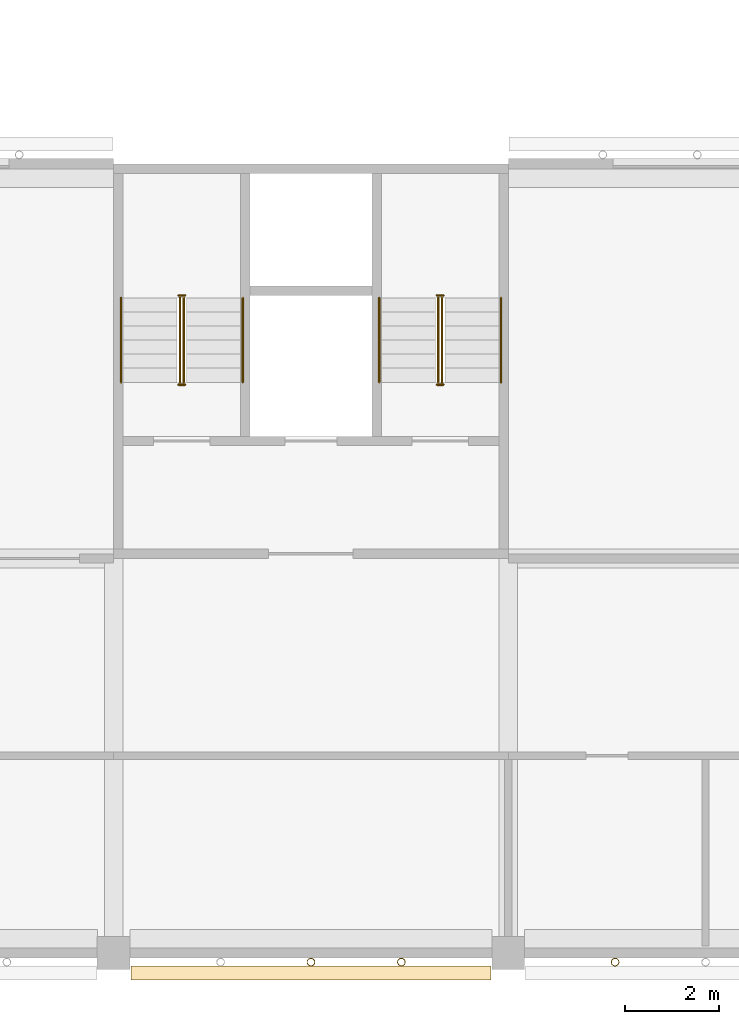
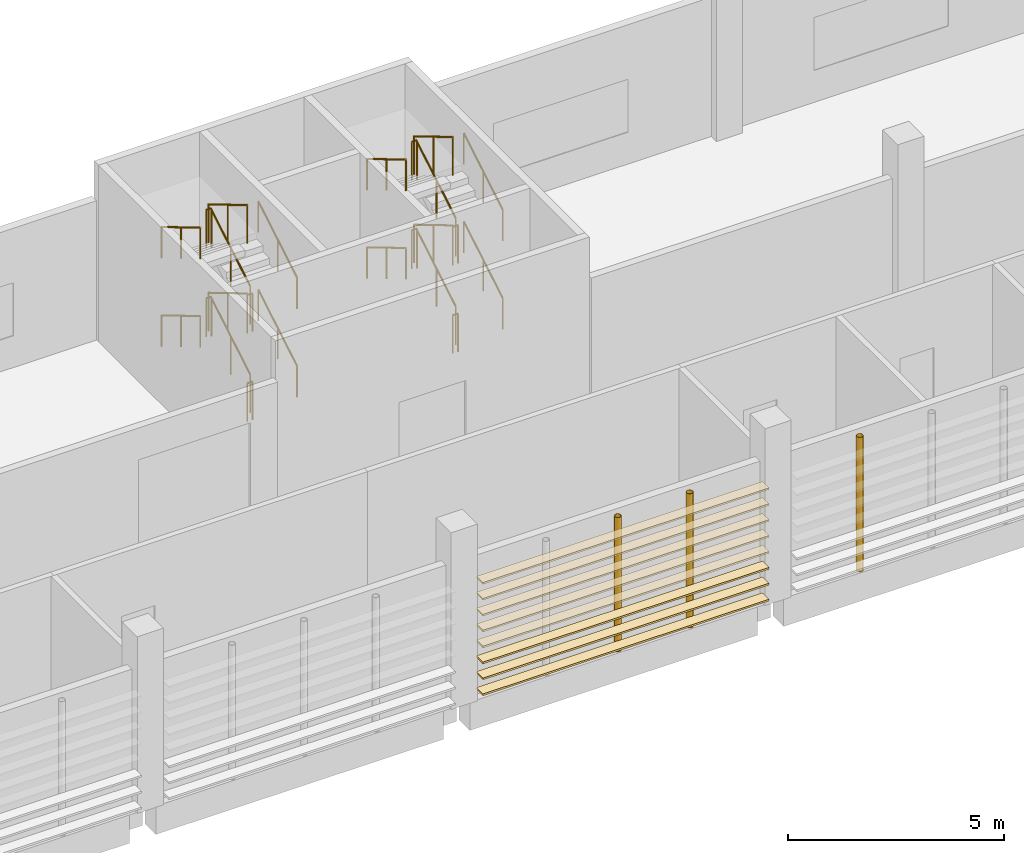
# One storey, part 50 of 82: 24 railings, 8 coverings, 3 shading devices.
"""IFC4 building model written with IfcOpenShell, lengths in metres."""

from ifc_helpers import new_model, si_unit, direction, frame, origin, origin_2d, place, context, subcontext, project, spatial, rectangle, circle, hollow_circle, extrude, material, material_profile, profile_set, type_object, element, save


model = new_model("IFC4")

# Units and contexts
model_context = context("Model", 3, precision=1e-05, world=origin(), true_north=direction((0.0, 1.0)))
body_context = subcontext(model_context, "Body", "Model", "MODEL_VIEW")
ifc_project = project(units=[si_unit("LENGTHUNIT", "METRE"), si_unit("AREAUNIT", "SQUARE_METRE"), si_unit("VOLUMEUNIT", "CUBIC_METRE"), si_unit("PLANEANGLEUNIT", "RADIAN"), si_unit("MASSUNIT", "GRAM", prefix="KILO")], contexts=[model_context])

# Site, building, storey
site_placement = place(None, origin())
site = spatial("IfcSite", under=ifc_project, at=site_placement, CompositionType="ELEMENT")
building_placement = place(site_placement, origin())
building = spatial("IfcBuilding", under=site, at=building_placement, Name="Almond Square Museum", CompositionType="ELEMENT")
storey_placement = place(building_placement, frame((0.0, 0.0, 20.0)))
storey = spatial("IfcBuildingStorey", under=building, at=storey_placement, Name="L03", CompositionType="ELEMENT", Elevation=20.0)

# Shading devices
ifc_material_1 = material(Name="Structural steel S355", Category="steel")
ifc_material_profile_1 = material_profile(ifc_material_1, hollow_circle(Radius=0.084228515625, WallThickness=0.008056640625, at=origin_2d()))
ifc_profile_set_1 = profile_set([ifc_material_profile_1], Name="Structural steel S355")
shading_device_type = type_object("IfcShadingDeviceType", Name="Louvre post CHS 168.3 x 8", PredefinedType="USERDEFINED", material=ifc_profile_set_1)
for number, where, z_axis, x_axis, name in (
    (1, (60.60009765625, -0.194091796875, 0.0), (0.0, 0.0, 1.0), (1.0, 0.0, 0.0), "Louvre screen post"),
    (2, (62.52490234375, -0.194091796875, 0.0), (0.0, 0.0, 1.0), (1.0, 0.0, 0.0), "Louvre screen post"),
    (3, (67.074951171875, -0.194091796875, 0.0), (0.0, 0.0, 1.0), (1.0, 0.0, 0.0), "Louvre screen post"),
):
    element("IfcShadingDevice", number, at=place(storey_placement, frame(where, z_axis=z_axis, x_axis=x_axis)), inside=storey, type_object=shading_device_type, Name=name, ObjectType="POST", PredefinedType="USERDEFINED", context=body_context, shape_type="SweptSolid", body=[
        extrude(hollow_circle(Radius=0.084228515625, WallThickness=0.008056640625, at=origin_2d()), origin(), (0.0, 0.0, 1.0), 3.800048828125),
    ])

# Coverings
ifc_material_2 = material(Name="Cedar timber louvre board", Category="wood")
ifc_material_profile_2 = material_profile(ifc_material_2, rectangle(XDim=0.300048828125, YDim=0.050048828125, at=origin_2d()))
ifc_profile_set_2 = profile_set([ifc_material_profile_2], Name="Cedar timber louvre board")
covering_type = type_object("IfcCoveringType", Name="Louvre screen board 300 x 50", PredefinedType="CLADDING", material=ifc_profile_set_2)
for number, where, z_axis, x_axis, name in (
    (4, (56.77001953125, -0.42431640625, 0.300048828125), (1.0, 0.0, 0.0), (0.0, 1.0, 0.0), "Louvre screen board"),
    (5, (56.77001953125, -0.42431640625, 0.75), (1.0, 0.0, 0.0), (0.0, 1.0, 0.0), "Louvre screen board"),
    (6, (56.77001953125, -0.42431640625, 1.199951171875), (1.0, 0.0, 0.0), (0.0, 1.0, 0.0), "Louvre screen board"),
    (7, (56.77001953125, -0.42431640625, 1.64990234375), (1.0, 0.0, 0.0), (0.0, 1.0, 0.0), "Louvre screen board"),
    (8, (56.77001953125, -0.42431640625, 2.10009765625), (1.0, 0.0, 0.0), (0.0, 1.0, 0.0), "Louvre screen board"),
    (9, (56.77001953125, -0.42431640625, 2.550048828125), (1.0, 0.0, 0.0), (0.0, 1.0, 0.0), "Louvre screen board"),
    (10, (56.77001953125, -0.42431640625, 3.0), (1.0, 0.0, 0.0), (0.0, 1.0, 0.0), "Louvre screen board"),
    (11, (56.77001953125, -0.42431640625, 3.449951171875), (1.0, 0.0, 0.0), (0.0, 1.0, 0.0), "Louvre screen board"),
):
    element("IfcCovering", number, at=place(storey_placement, frame(where, z_axis=z_axis, x_axis=x_axis)), inside=storey, type_object=covering_type, Name=name, PredefinedType="CLADDING", context=body_context, shape_type="SweptSolid", body=[
        extrude(rectangle(XDim=0.300048828125, YDim=0.050048828125, at=origin_2d()), origin(), (0.0, 0.0, 1.0), 7.659912109375),
    ])

# Railings
ifc_material_3 = material(Name="Stainless steel and laminated glass", Category="steel")
railing_type_1 = type_object("IfcRailingType", Name="Stair guard 1100 steel and glass", PredefinedType="GUARDRAIL", material=ifc_material_3)
railing_1_placement = place(storey_placement, frame((57.889892578125, 12.14990234375, 0.178466796875)))
element("IfcRailing", 12, at=railing_1_placement, inside=storey, type_object=railing_type_1, Name="L03 ST-29 stair guard 1", PredefinedType="GUARDRAIL", context=body_context, shape_type="SweptSolid", body=[
    extrude(circle(Radius=0.02392578125, at=origin_2d()), frame((0.0, 0.0, 1.076171875), z_axis=(0.0, 0.859277029364, 0.511510495305), x_axis=(-1.0, 0.0, 0.0)), (0.0, 0.0, 1.0), 2.0947265625),
    extrude(circle(Radius=0.02099609375, at=origin_2d()), origin(), (0.0, 0.0, 1.0), 1.052001953125),
    extrude(circle(Radius=0.02099609375, at=origin_2d()), frame((0.0, 0.89990234375, 0.53564453125)), (0.0, 0.0, 1.0), 1.052001953125),
    extrude(circle(Radius=0.02099609375, at=origin_2d()), frame((0.0, 1.800048828125, 1.071533203125)), (0.0, 0.0, 1.0), 1.052001953125),
])
railing_2_placement = place(storey_placement, frame((57.919921875, 14.0, 1.25)))
element("IfcRailing", 13, at=railing_2_placement, inside=storey, type_object=railing_type_1, Name="L03 ST-29 stair guard 2", PredefinedType="GUARDRAIL", context=body_context, shape_type="SweptSolid", body=[
    extrude(circle(Radius=0.02392578125, at=origin_2d()), frame((0.0, 0.0, 1.076171875), z_axis=(-1.0, 0.0, 0.0), x_axis=(0.0, -1.0, 0.0)), (0.0, 0.0, 1.0), 0.139892578125),
    extrude(circle(Radius=0.02099609375, at=origin_2d()), origin(), (0.0, 0.0, 1.0), 1.052001953125),
    extrude(circle(Radius=0.02099609375, at=origin_2d()), frame((-0.139892578125, 0.0, 0.0)), (0.0, 0.0, 1.0), 1.052001953125),
])
railing_3_placement = place(storey_placement, frame((57.81005859375, 13.949951171875, 1.428466796875)))
element("IfcRailing", 14, at=railing_3_placement, inside=storey, type_object=railing_type_1, Name="L03 ST-29 stair guard 3", PredefinedType="GUARDRAIL", context=body_context, shape_type="SweptSolid", body=[
    extrude(circle(Radius=0.02392578125, at=origin_2d()), frame((0.0, 0.0, 1.076171875), z_axis=(0.0, -0.859277029364, 0.511510495305), x_axis=(1.0, 0.0, 0.0)), (0.0, 0.0, 1.0), 2.0947265625),
    extrude(circle(Radius=0.02099609375, at=origin_2d()), origin(), (0.0, 0.0, 1.0), 1.052001953125),
    extrude(circle(Radius=0.02099609375, at=origin_2d()), frame((0.0, -0.89990234375, 0.53564453125)), (0.0, 0.0, 1.0), 1.052001953125),
    extrude(circle(Radius=0.02099609375, at=origin_2d()), frame((0.0, -1.800048828125, 1.071533203125)), (0.0, 0.0, 1.0), 1.052001953125),
])
railing_4_placement = place(storey_placement, frame((57.919921875, 12.10009765625, 2.5)))
element("IfcRailing", 15, at=railing_4_placement, inside=storey, type_object=railing_type_1, Name="L03 ST-29 stair guard 4", PredefinedType="GUARDRAIL", context=body_context, shape_type="SweptSolid", body=[
    extrude(circle(Radius=0.02392578125, at=origin_2d()), frame((0.0, 0.0, 1.076171875), z_axis=(-1.0, 0.0, 0.0), x_axis=(0.0, -1.0, 0.0)), (0.0, 0.0, 1.0), 0.139892578125),
    extrude(circle(Radius=0.02099609375, at=origin_2d()), origin(), (0.0, 0.0, 1.0), 1.052001953125),
    extrude(circle(Radius=0.02099609375, at=origin_2d()), frame((-0.139892578125, 0.0, 0.0)), (0.0, 0.0, 1.0), 1.052001953125),
])
railing_5_placement = place(storey_placement, frame((57.889892578125, 12.14990234375, 2.678466796875)))
element("IfcRailing", 16, at=railing_5_placement, inside=storey, type_object=railing_type_1, Name="L03 ST-29 stair guard 5", PredefinedType="GUARDRAIL", context=body_context, shape_type="SweptSolid", body=[
    extrude(circle(Radius=0.02392578125, at=origin_2d()), frame((0.0, 0.0, 1.076171875), z_axis=(0.0, 0.859277029364, 0.511510495305), x_axis=(-1.0, 0.0, 0.0)), (0.0, 0.0, 1.0), 2.0947265625),
    extrude(circle(Radius=0.02099609375, at=origin_2d()), origin(), (0.0, 0.0, 1.0), 1.052001953125),
    extrude(circle(Radius=0.02099609375, at=origin_2d()), frame((0.0, 0.89990234375, 0.53564453125)), (0.0, 0.0, 1.0), 1.052001953125),
    extrude(circle(Radius=0.02099609375, at=origin_2d()), frame((0.0, 1.800048828125, 1.071533203125)), (0.0, 0.0, 1.0), 1.052001953125),
])
railing_6_placement = place(storey_placement, frame((57.919921875, 14.0, 3.75)))
element("IfcRailing", 17, at=railing_6_placement, inside=storey, type_object=railing_type_1, Name="L03 ST-29 stair guard 6", PredefinedType="GUARDRAIL", context=body_context, shape_type="SweptSolid", body=[
    extrude(circle(Radius=0.02392578125, at=origin_2d()), frame((0.0, 0.0, 1.076171875), z_axis=(-1.0, 0.0, 0.0), x_axis=(0.0, -1.0, 0.0)), (0.0, 0.0, 1.0), 0.139892578125),
    extrude(circle(Radius=0.02099609375, at=origin_2d()), origin(), (0.0, 0.0, 1.0), 1.052001953125),
    extrude(circle(Radius=0.02099609375, at=origin_2d()), frame((-0.139892578125, 0.0, 0.0)), (0.0, 0.0, 1.0), 1.052001953125),
])
railing_7_placement = place(storey_placement, frame((57.81005859375, 13.949951171875, 3.928466796875)))
element("IfcRailing", 18, at=railing_7_placement, inside=storey, type_object=railing_type_1, Name="L03 ST-29 stair guard 7", PredefinedType="GUARDRAIL", context=body_context, shape_type="SweptSolid", body=[
    extrude(circle(Radius=0.02392578125, at=origin_2d()), frame((0.0, 0.0, 1.076171875), z_axis=(0.0, -0.859277029364, 0.511510495305), x_axis=(1.0, 0.0, 0.0)), (0.0, 0.0, 1.0), 2.0947265625),
    extrude(circle(Radius=0.02099609375, at=origin_2d()), origin(), (0.0, 0.0, 1.0), 1.052001953125),
    extrude(circle(Radius=0.02099609375, at=origin_2d()), frame((0.0, -0.89990234375, 0.53564453125)), (0.0, 0.0, 1.0), 1.052001953125),
    extrude(circle(Radius=0.02099609375, at=origin_2d()), frame((0.0, -1.800048828125, 1.071533203125)), (0.0, 0.0, 1.0), 1.052001953125),
])
railing_8_placement = place(storey_placement, frame((57.919921875, 12.10009765625, 0.0)))
element("IfcRailing", 19, at=railing_8_placement, inside=storey, type_object=railing_type_1, Name="L03 ST-29 stair guard 8", PredefinedType="GUARDRAIL", context=body_context, shape_type="SweptSolid", body=[
    extrude(circle(Radius=0.02392578125, at=origin_2d()), frame((0.0, 0.0, 1.076171875), z_axis=(-1.0, 0.0, 0.0), x_axis=(0.0, -1.0, 0.0)), (0.0, 0.0, 1.0), 0.139892578125),
    extrude(circle(Radius=0.02099609375, at=origin_2d()), origin(), (0.0, 0.0, 1.0), 1.052001953125),
    extrude(circle(Radius=0.02099609375, at=origin_2d()), frame((-0.139892578125, 0.0, 0.0)), (0.0, 0.0, 1.0), 1.052001953125),
])
railing_9_placement = place(storey_placement, frame((63.389892578125, 12.14990234375, 0.178466796875)))
element("IfcRailing", 20, at=railing_9_placement, inside=storey, type_object=railing_type_1, Name="L03 ST-30 stair guard 1", PredefinedType="GUARDRAIL", context=body_context, shape_type="SweptSolid", body=[
    extrude(circle(Radius=0.02392578125, at=origin_2d()), frame((0.0, 0.0, 1.076171875), z_axis=(0.0, 0.859277029364, 0.511510495305), x_axis=(-1.0, 0.0, 0.0)), (0.0, 0.0, 1.0), 2.0947265625),
    extrude(circle(Radius=0.02099609375, at=origin_2d()), origin(), (0.0, 0.0, 1.0), 1.052001953125),
    extrude(circle(Radius=0.02099609375, at=origin_2d()), frame((0.0, 0.89990234375, 0.53564453125)), (0.0, 0.0, 1.0), 1.052001953125),
    extrude(circle(Radius=0.02099609375, at=origin_2d()), frame((0.0, 1.800048828125, 1.071533203125)), (0.0, 0.0, 1.0), 1.052001953125),
])
railing_10_placement = place(storey_placement, frame((63.419921875, 14.0, 1.25)))
element("IfcRailing", 21, at=railing_10_placement, inside=storey, type_object=railing_type_1, Name="L03 ST-30 stair guard 2", PredefinedType="GUARDRAIL", context=body_context, shape_type="SweptSolid", body=[
    extrude(circle(Radius=0.02392578125, at=origin_2d()), frame((0.0, 0.0, 1.076171875), z_axis=(-1.0, 0.0, 0.0), x_axis=(0.0, -1.0, 0.0)), (0.0, 0.0, 1.0), 0.139892578125),
    extrude(circle(Radius=0.02099609375, at=origin_2d()), origin(), (0.0, 0.0, 1.0), 1.052001953125),
    extrude(circle(Radius=0.02099609375, at=origin_2d()), frame((-0.139892578125, 0.0, 0.0)), (0.0, 0.0, 1.0), 1.052001953125),
])
railing_11_placement = place(storey_placement, frame((63.31005859375, 13.949951171875, 1.428466796875)))
element("IfcRailing", 22, at=railing_11_placement, inside=storey, type_object=railing_type_1, Name="L03 ST-30 stair guard 3", PredefinedType="GUARDRAIL", context=body_context, shape_type="SweptSolid", body=[
    extrude(circle(Radius=0.02392578125, at=origin_2d()), frame((0.0, 0.0, 1.076171875), z_axis=(0.0, -0.859277029364, 0.511510495305), x_axis=(1.0, 0.0, 0.0)), (0.0, 0.0, 1.0), 2.0947265625),
    extrude(circle(Radius=0.02099609375, at=origin_2d()), origin(), (0.0, 0.0, 1.0), 1.052001953125),
    extrude(circle(Radius=0.02099609375, at=origin_2d()), frame((0.0, -0.89990234375, 0.53564453125)), (0.0, 0.0, 1.0), 1.052001953125),
    extrude(circle(Radius=0.02099609375, at=origin_2d()), frame((0.0, -1.800048828125, 1.071533203125)), (0.0, 0.0, 1.0), 1.052001953125),
])
railing_12_placement = place(storey_placement, frame((63.419921875, 12.10009765625, 2.5)))
element("IfcRailing", 23, at=railing_12_placement, inside=storey, type_object=railing_type_1, Name="L03 ST-30 stair guard 4", PredefinedType="GUARDRAIL", context=body_context, shape_type="SweptSolid", body=[
    extrude(circle(Radius=0.02392578125, at=origin_2d()), frame((0.0, 0.0, 1.076171875), z_axis=(-1.0, 0.0, 0.0), x_axis=(0.0, -1.0, 0.0)), (0.0, 0.0, 1.0), 0.139892578125),
    extrude(circle(Radius=0.02099609375, at=origin_2d()), origin(), (0.0, 0.0, 1.0), 1.052001953125),
    extrude(circle(Radius=0.02099609375, at=origin_2d()), frame((-0.139892578125, 0.0, 0.0)), (0.0, 0.0, 1.0), 1.052001953125),
])
railing_13_placement = place(storey_placement, frame((63.389892578125, 12.14990234375, 2.678466796875)))
element("IfcRailing", 24, at=railing_13_placement, inside=storey, type_object=railing_type_1, Name="L03 ST-30 stair guard 5", PredefinedType="GUARDRAIL", context=body_context, shape_type="SweptSolid", body=[
    extrude(circle(Radius=0.02392578125, at=origin_2d()), frame((0.0, 0.0, 1.076171875), z_axis=(0.0, 0.859277029364, 0.511510495305), x_axis=(-1.0, 0.0, 0.0)), (0.0, 0.0, 1.0), 2.0947265625),
    extrude(circle(Radius=0.02099609375, at=origin_2d()), origin(), (0.0, 0.0, 1.0), 1.052001953125),
    extrude(circle(Radius=0.02099609375, at=origin_2d()), frame((0.0, 0.89990234375, 0.53564453125)), (0.0, 0.0, 1.0), 1.052001953125),
    extrude(circle(Radius=0.02099609375, at=origin_2d()), frame((0.0, 1.800048828125, 1.071533203125)), (0.0, 0.0, 1.0), 1.052001953125),
])
railing_14_placement = place(storey_placement, frame((63.419921875, 14.0, 3.75)))
element("IfcRailing", 25, at=railing_14_placement, inside=storey, type_object=railing_type_1, Name="L03 ST-30 stair guard 6", PredefinedType="GUARDRAIL", context=body_context, shape_type="SweptSolid", body=[
    extrude(circle(Radius=0.02392578125, at=origin_2d()), frame((0.0, 0.0, 1.076171875), z_axis=(-1.0, 0.0, 0.0), x_axis=(0.0, -1.0, 0.0)), (0.0, 0.0, 1.0), 0.139892578125),
    extrude(circle(Radius=0.02099609375, at=origin_2d()), origin(), (0.0, 0.0, 1.0), 1.052001953125),
    extrude(circle(Radius=0.02099609375, at=origin_2d()), frame((-0.139892578125, 0.0, 0.0)), (0.0, 0.0, 1.0), 1.052001953125),
])
railing_15_placement = place(storey_placement, frame((63.31005859375, 13.949951171875, 3.928466796875)))
element("IfcRailing", 26, at=railing_15_placement, inside=storey, type_object=railing_type_1, Name="L03 ST-30 stair guard 7", PredefinedType="GUARDRAIL", context=body_context, shape_type="SweptSolid", body=[
    extrude(circle(Radius=0.02392578125, at=origin_2d()), frame((0.0, 0.0, 1.076171875), z_axis=(0.0, -0.859277029364, 0.511510495305), x_axis=(1.0, 0.0, 0.0)), (0.0, 0.0, 1.0), 2.0947265625),
    extrude(circle(Radius=0.02099609375, at=origin_2d()), origin(), (0.0, 0.0, 1.0), 1.052001953125),
    extrude(circle(Radius=0.02099609375, at=origin_2d()), frame((0.0, -0.89990234375, 0.53564453125)), (0.0, 0.0, 1.0), 1.052001953125),
    extrude(circle(Radius=0.02099609375, at=origin_2d()), frame((0.0, -1.800048828125, 1.071533203125)), (0.0, 0.0, 1.0), 1.052001953125),
])
railing_16_placement = place(storey_placement, frame((63.419921875, 12.10009765625, 0.0)))
element("IfcRailing", 27, at=railing_16_placement, inside=storey, type_object=railing_type_1, Name="L03 ST-30 stair guard 8", PredefinedType="GUARDRAIL", context=body_context, shape_type="SweptSolid", body=[
    extrude(circle(Radius=0.02392578125, at=origin_2d()), frame((0.0, 0.0, 1.076171875), z_axis=(-1.0, 0.0, 0.0), x_axis=(0.0, -1.0, 0.0)), (0.0, 0.0, 1.0), 0.139892578125),
    extrude(circle(Radius=0.02099609375, at=origin_2d()), origin(), (0.0, 0.0, 1.0), 1.052001953125),
    extrude(circle(Radius=0.02099609375, at=origin_2d()), frame((-0.139892578125, 0.0, 0.0)), (0.0, 0.0, 1.0), 1.052001953125),
])
ifc_material_4 = material(Name="Stainless steel", Category="steel")
railing_type_2 = type_object("IfcRailingType", Name="Stair handrail 900 steel", PredefinedType="HANDRAIL", material=ifc_material_4)
railing_17_placement = place(storey_placement, frame((59.14501953125, 12.14990234375, 0.178466796875)))
element("IfcRailing", 28, at=railing_17_placement, inside=storey, type_object=railing_type_2, Name="L03 ST-29 stair handrail 1", PredefinedType="HANDRAIL", context=body_context, shape_type="SweptSolid", body=[
    extrude(circle(Radius=0.02392578125, at=origin_2d()), frame((0.0, 0.0, 0.8759765625), z_axis=(0.0, 0.859277029364, 0.511510495305), x_axis=(-1.0, 0.0, 0.0)), (0.0, 0.0, 1.0), 2.0947265625),
    extrude(circle(Radius=0.02099609375, at=origin_2d()), origin(), (0.0, 0.0, 1.0), 0.851806640625),
    extrude(circle(Radius=0.02099609375, at=origin_2d()), frame((0.0, 0.89990234375, 0.53564453125)), (0.0, 0.0, 1.0), 0.851806640625),
    extrude(circle(Radius=0.02099609375, at=origin_2d()), frame((0.0, 1.800048828125, 1.071533203125)), (0.0, 0.0, 1.0), 0.851806640625),
])
railing_18_placement = place(storey_placement, frame((56.554931640625, 13.949951171875, 1.428466796875)))
element("IfcRailing", 29, at=railing_18_placement, inside=storey, type_object=railing_type_2, Name="L03 ST-29 stair handrail 2", PredefinedType="HANDRAIL", context=body_context, shape_type="SweptSolid", body=[
    extrude(circle(Radius=0.02392578125, at=origin_2d()), frame((0.0, 0.0, 0.8759765625), z_axis=(0.0, -0.859277029364, 0.511510495305), x_axis=(1.0, 0.0, 0.0)), (0.0, 0.0, 1.0), 2.0947265625),
    extrude(circle(Radius=0.02099609375, at=origin_2d()), origin(), (0.0, 0.0, 1.0), 0.851806640625),
    extrude(circle(Radius=0.02099609375, at=origin_2d()), frame((0.0, -0.89990234375, 0.53564453125)), (0.0, 0.0, 1.0), 0.851806640625),
    extrude(circle(Radius=0.02099609375, at=origin_2d()), frame((0.0, -1.800048828125, 1.071533203125)), (0.0, 0.0, 1.0), 0.851806640625),
])
railing_19_placement = place(storey_placement, frame((59.14501953125, 12.14990234375, 2.678466796875)))
element("IfcRailing", 30, at=railing_19_placement, inside=storey, type_object=railing_type_2, Name="L03 ST-29 stair handrail 3", PredefinedType="HANDRAIL", context=body_context, shape_type="SweptSolid", body=[
    extrude(circle(Radius=0.02392578125, at=origin_2d()), frame((0.0, 0.0, 0.8759765625), z_axis=(0.0, 0.859277029364, 0.511510495305), x_axis=(-1.0, 0.0, 0.0)), (0.0, 0.0, 1.0), 2.0947265625),
    extrude(circle(Radius=0.02099609375, at=origin_2d()), origin(), (0.0, 0.0, 1.0), 0.851806640625),
    extrude(circle(Radius=0.02099609375, at=origin_2d()), frame((0.0, 0.89990234375, 0.53564453125)), (0.0, 0.0, 1.0), 0.851806640625),
    extrude(circle(Radius=0.02099609375, at=origin_2d()), frame((0.0, 1.800048828125, 1.071533203125)), (0.0, 0.0, 1.0), 0.851806640625),
])
railing_20_placement = place(storey_placement, frame((56.554931640625, 13.949951171875, 3.928466796875)))
element("IfcRailing", 31, at=railing_20_placement, inside=storey, type_object=railing_type_2, Name="L03 ST-29 stair handrail 4", PredefinedType="HANDRAIL", context=body_context, shape_type="SweptSolid", body=[
    extrude(circle(Radius=0.02392578125, at=origin_2d()), frame((0.0, 0.0, 0.8759765625), z_axis=(0.0, -0.859277029364, 0.511510495305), x_axis=(1.0, 0.0, 0.0)), (0.0, 0.0, 1.0), 2.0947265625),
    extrude(circle(Radius=0.02099609375, at=origin_2d()), origin(), (0.0, 0.0, 1.0), 0.851806640625),
    extrude(circle(Radius=0.02099609375, at=origin_2d()), frame((0.0, -0.89990234375, 0.53564453125)), (0.0, 0.0, 1.0), 0.851806640625),
    extrude(circle(Radius=0.02099609375, at=origin_2d()), frame((0.0, -1.800048828125, 1.071533203125)), (0.0, 0.0, 1.0), 0.851806640625),
])
railing_21_placement = place(storey_placement, frame((64.64501953125, 12.14990234375, 0.178466796875)))
element("IfcRailing", 32, at=railing_21_placement, inside=storey, type_object=railing_type_2, Name="L03 ST-30 stair handrail 1", PredefinedType="HANDRAIL", context=body_context, shape_type="SweptSolid", body=[
    extrude(circle(Radius=0.02392578125, at=origin_2d()), frame((0.0, 0.0, 0.8759765625), z_axis=(0.0, 0.859277029364, 0.511510495305), x_axis=(-1.0, 0.0, 0.0)), (0.0, 0.0, 1.0), 2.0947265625),
    extrude(circle(Radius=0.02099609375, at=origin_2d()), origin(), (0.0, 0.0, 1.0), 0.851806640625),
    extrude(circle(Radius=0.02099609375, at=origin_2d()), frame((0.0, 0.89990234375, 0.53564453125)), (0.0, 0.0, 1.0), 0.851806640625),
    extrude(circle(Radius=0.02099609375, at=origin_2d()), frame((0.0, 1.800048828125, 1.071533203125)), (0.0, 0.0, 1.0), 0.851806640625),
])
railing_22_placement = place(storey_placement, frame((62.054931640625, 13.949951171875, 1.428466796875)))
element("IfcRailing", 33, at=railing_22_placement, inside=storey, type_object=railing_type_2, Name="L03 ST-30 stair handrail 2", PredefinedType="HANDRAIL", context=body_context, shape_type="SweptSolid", body=[
    extrude(circle(Radius=0.02392578125, at=origin_2d()), frame((0.0, 0.0, 0.8759765625), z_axis=(0.0, -0.859277029364, 0.511510495305), x_axis=(1.0, 0.0, 0.0)), (0.0, 0.0, 1.0), 2.0947265625),
    extrude(circle(Radius=0.02099609375, at=origin_2d()), origin(), (0.0, 0.0, 1.0), 0.851806640625),
    extrude(circle(Radius=0.02099609375, at=origin_2d()), frame((0.0, -0.89990234375, 0.53564453125)), (0.0, 0.0, 1.0), 0.851806640625),
    extrude(circle(Radius=0.02099609375, at=origin_2d()), frame((0.0, -1.800048828125, 1.071533203125)), (0.0, 0.0, 1.0), 0.851806640625),
])
railing_23_placement = place(storey_placement, frame((64.64501953125, 12.14990234375, 2.678466796875)))
element("IfcRailing", 34, at=railing_23_placement, inside=storey, type_object=railing_type_2, Name="L03 ST-30 stair handrail 3", PredefinedType="HANDRAIL", context=body_context, shape_type="SweptSolid", body=[
    extrude(circle(Radius=0.02392578125, at=origin_2d()), frame((0.0, 0.0, 0.8759765625), z_axis=(0.0, 0.859277029364, 0.511510495305), x_axis=(-1.0, 0.0, 0.0)), (0.0, 0.0, 1.0), 2.0947265625),
    extrude(circle(Radius=0.02099609375, at=origin_2d()), origin(), (0.0, 0.0, 1.0), 0.851806640625),
    extrude(circle(Radius=0.02099609375, at=origin_2d()), frame((0.0, 0.89990234375, 0.53564453125)), (0.0, 0.0, 1.0), 0.851806640625),
    extrude(circle(Radius=0.02099609375, at=origin_2d()), frame((0.0, 1.800048828125, 1.071533203125)), (0.0, 0.0, 1.0), 0.851806640625),
])
railing_24_placement = place(storey_placement, frame((62.054931640625, 13.949951171875, 3.928466796875)))
element("IfcRailing", 35, at=railing_24_placement, inside=storey, type_object=railing_type_2, Name="L03 ST-30 stair handrail 4", PredefinedType="HANDRAIL", context=body_context, shape_type="SweptSolid", body=[
    extrude(circle(Radius=0.02392578125, at=origin_2d()), frame((0.0, 0.0, 0.8759765625), z_axis=(0.0, -0.859277029364, 0.511510495305), x_axis=(1.0, 0.0, 0.0)), (0.0, 0.0, 1.0), 2.0947265625),
    extrude(circle(Radius=0.02099609375, at=origin_2d()), origin(), (0.0, 0.0, 1.0), 0.851806640625),
    extrude(circle(Radius=0.02099609375, at=origin_2d()), frame((0.0, -0.89990234375, 0.53564453125)), (0.0, 0.0, 1.0), 0.851806640625),
    extrude(circle(Radius=0.02099609375, at=origin_2d()), frame((0.0, -1.800048828125, 1.071533203125)), (0.0, 0.0, 1.0), 0.851806640625),
])

save(model, "model.ifc")
